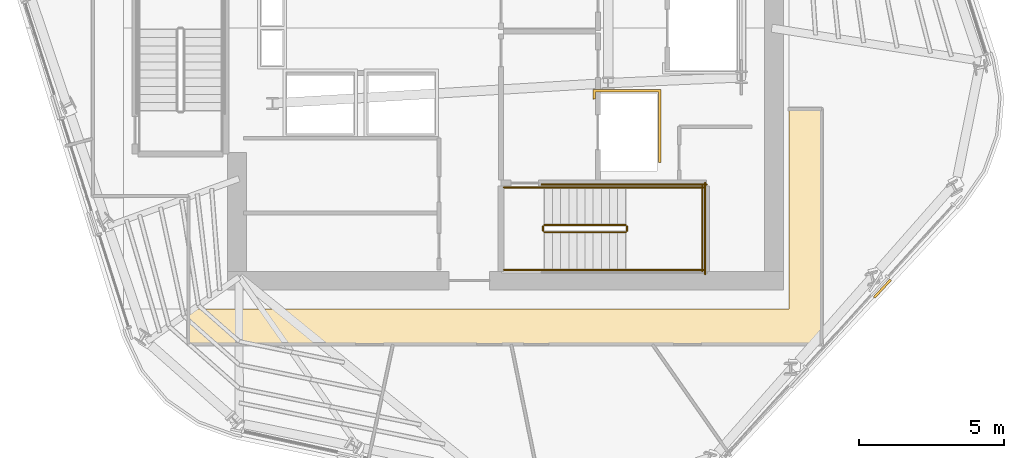
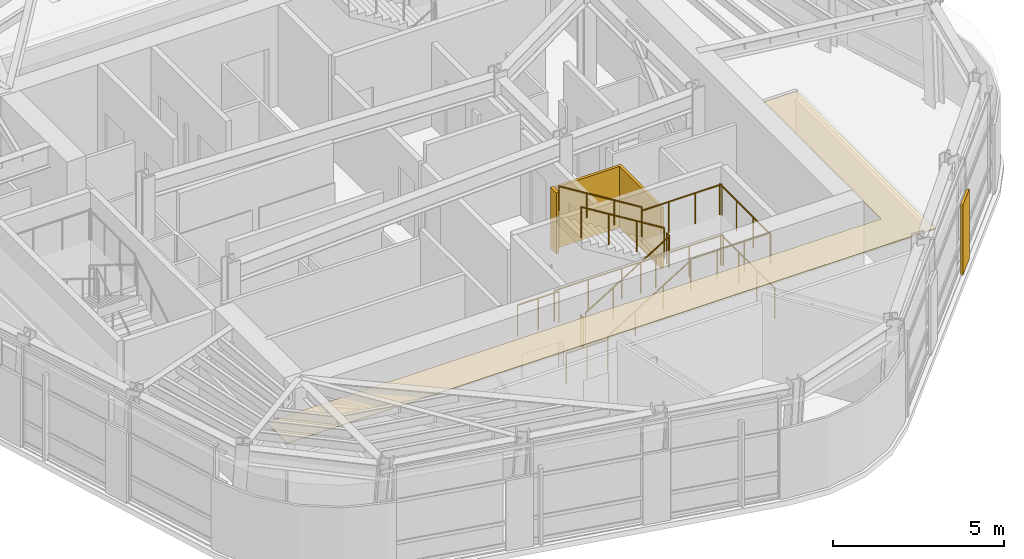
# One storey, part 10 of 13: 13 railings, 3 coverings.
"""IFC4 building model written with IfcOpenShell, lengths in metres."""

import ifcopenshell
import ifcopenshell.guid

model = None  # the IFC model being written
_history = None  # IfcOwnerHistory: only IFC2X3 demands one
_inside = {}  # id of a spatial element -> (the spatial element, [elements in it])
_under = {}  # id of a project, library or spatial element -> (it, [spatial elements below it])
_declared = {}  # id of a project -> (the project, [libraries it declares])
_typed = {}  # id of a type object -> (the type object, [elements of that type])
_made_of = {}  # id of a material, layer set ... -> (it, [elements and type objects made of it])


def new_model(schema):
    """Start an empty IFC model of exactly this schema.

    Asked for "IFC4X3", IfcOpenShell would pick the latest addendum, in which some entities
    have other attributes; the version numbers below select the first issue.
    IFC2X3 requires an IfcOwnerHistory on every rooted entity: one is made here for all.
    """
    global model, _history
    if schema == "IFC4X3":
        model = ifcopenshell.file(schema_version=(4, 3, 0, 0))
    else:
        model = ifcopenshell.file(schema=schema)
    _inside.clear()
    _under.clear()
    _declared.clear()
    _typed.clear()
    _made_of.clear()
    _history = None
    if model.schema == "IFC2X3":
        org = make("IfcOrganization", Name="unknown")
        user = make(
            "IfcPersonAndOrganization",
            ThePerson=make("IfcPerson", FamilyName="unknown"),
            TheOrganization=org,
        )
        app = make(
            "IfcApplication",
            ApplicationDeveloper=org,
            Version="unknown",
            ApplicationFullName="unknown",
            ApplicationIdentifier="unknown",
        )
        _history = make(
            "IfcOwnerHistory",
            OwningUser=user,
            OwningApplication=app,
            ChangeAction="ADDED",
            CreationDate=0,
        )
    return model


def make(cls, **values):
    """One entity of the class cls with the attributes given. An attribute that is None is left unset."""
    return model.create_entity(
        cls, **{name: value for name, value in values.items() if value is not None}
    )


def rooted(cls, **values):
    """An entity with a GlobalId (a new one), such as an element, a storey or a relation."""
    return make(cls, GlobalId=ifcopenshell.guid.new(), OwnerHistory=_history, **values)


def si_unit(unit_type, name, prefix=None):
    """IfcSIUnit, for example si_unit("LENGTHUNIT", "METRE", prefix="MILLI")."""
    return make("IfcSIUnit", UnitType=unit_type, Prefix=prefix, Name=name)


def assignment(units):
    """IfcUnitAssignment: the units of a project."""
    return None if units is None else make("IfcUnitAssignment", Units=units)


def point(xyz):
    """IfcCartesianPoint."""
    return None if xyz is None else make("IfcCartesianPoint", Coordinates=xyz)


def direction(xyz):
    """IfcDirection."""
    return None if xyz is None else make("IfcDirection", DirectionRatios=xyz)


def frame(location, z_axis=None, x_axis=None):
    """IfcAxis2Placement3D, a coordinate frame: its origin and axes. An axis left out is left unset."""
    return make(
        "IfcAxis2Placement3D",
        Location=point(location),
        Axis=direction(z_axis),
        RefDirection=direction(x_axis),
    )


def frame_2d(location, x_axis=None):
    """IfcAxis2Placement2D, a coordinate frame in the plane: its origin and x axis."""
    return make(
        "IfcAxis2Placement2D", Location=point(location), RefDirection=direction(x_axis)
    )


def origin():
    """The frame at (0, 0, 0) with its axes left unset."""
    return frame((0.0, 0.0, 0.0))


def origin_2d():
    """The frame at (0, 0) in the plane with its x axis left unset."""
    return frame_2d((0.0, 0.0))


def place(relative_to, where):
    """IfcLocalPlacement: puts the frame where relative to a parent placement (None: the world)."""
    return make(
        "IfcLocalPlacement", PlacementRelTo=relative_to, RelativePlacement=where
    )


def context(
    kind, dimensions, precision=None, world=None, true_north=None, identifier=None
):
    """IfcGeometricRepresentationContext, for example the 3D "Model" context."""
    return make(
        "IfcGeometricRepresentationContext",
        ContextIdentifier=identifier,
        ContextType=kind,
        CoordinateSpaceDimension=dimensions,
        Precision=precision,
        WorldCoordinateSystem=world,
        TrueNorth=true_north,
    )


def subcontext(parent, identifier, kind, view, scale=None):
    """IfcGeometricRepresentationSubContext, for example "Body" below "Model"."""
    return make(
        "IfcGeometricRepresentationSubContext",
        ContextIdentifier=identifier,
        ContextType=kind,
        ParentContext=parent,
        TargetScale=scale,
        TargetView=view,
    )


def project(units=None, contexts=None):
    """IfcProject with its units and contexts."""
    return rooted(
        "IfcProject",
        Name="project",
        RepresentationContexts=contexts,
        UnitsInContext=assignment(units),
    )


def spatial(cls, under=None, at=None, **own):
    """A site, building, storey or space (cls), placed at a placement, below another one or the project."""
    s = rooted(cls, ObjectPlacement=at, **own)
    if under is not None:
        _under.setdefault(under.id(), (under, []))[1].append(s)
    return s


def polyline(points):
    """IfcPolyline through the points."""
    return make("IfcPolyline", Points=[point(p) for p in points])


def profile(cls, at=None, kind="AREA", **sizes):
    """A parametric profile (cls). Its sizes go by their IFC names, for example OverallWidth=200.0."""
    return make(cls, ProfileType=kind, Position=at, **sizes)


def circle(**sizes):
    """IfcCircleProfileDef."""
    return profile("IfcCircleProfileDef", **sizes)


def outline(outer, holes=None, kind="AREA"):
    """IfcArbitraryClosedProfileDef: a profile drawn as a closed curve; with holes, ...WithVoids."""
    if holes is None:
        return make("IfcArbitraryClosedProfileDef", ProfileType=kind, OuterCurve=outer)
    return make(
        "IfcArbitraryProfileDefWithVoids",
        ProfileType=kind,
        OuterCurve=outer,
        InnerCurves=holes,
    )


def extrude(swept, where, along, depth):
    """IfcExtrudedAreaSolid: the profile swept, set in the frame where, extruded along a direction by depth."""
    return make(
        "IfcExtrudedAreaSolid",
        SweptArea=swept,
        Position=where,
        ExtrudedDirection=direction(along),
        Depth=depth,
    )


def shape(context_of_items, identifier, shape_type, items):
    """IfcShapeRepresentation: the items that make up one representation, for example the "Body"."""
    return make(
        "IfcShapeRepresentation",
        ContextOfItems=context_of_items,
        RepresentationIdentifier=identifier,
        RepresentationType=shape_type,
        Items=items,
    )


def material(Name=None, Category=None):
    """IfcMaterial."""
    return make("IfcMaterial", Name=Name, Category=Category)


def layer(
    of_material, thickness, ventilated=None, Name=None, Category=None, Priority=None
):
    """IfcMaterialLayer: one layer of a wall or slab, of a material (None: an air gap)."""
    return make(
        "IfcMaterialLayer",
        Material=of_material,
        LayerThickness=thickness,
        IsVentilated=ventilated,
        Name=Name,
        Category=Category,
        Priority=Priority,
    )


def layer_set(layers, Name=None):
    """IfcMaterialLayerSet."""
    return make("IfcMaterialLayerSet", MaterialLayers=layers, LayerSetName=Name)


def made_of(thing, what):
    """Note that an element or type object is made of a material, layer set ...; save() writes the relation."""
    if what is not None:
        _made_of.setdefault(what.id(), (what, []))[1].append(thing)
    return thing


def type_object(cls, material=None, **own):
    """A type object (cls), such as IfcWallType, which elements share."""
    return made_of(rooted(cls, **own), material)


def element(
    cls,
    number,
    at=None,
    inside=None,
    cuts=None,
    type_object=None,
    material=None,
    context=None,
    identifier="Body",
    shape_type=None,
    held_by="IfcProductDefinitionShape",
    body=None,
    shapes=None,
    **own,
):
    """One element of the class cls, such as IfcWall. Its Tag is "e" and its number.

    at: its placement. inside: the storey or other place that contains it. cuts: it is an
    opening in that element (IfcRelVoidsElement). A single representation is given by context,
    identifier, shape_type and body (its items); several are given by shapes. held_by: the class
    of the entity that holds the representations. save() writes the other relations.
    """
    e = rooted(cls, Tag="e%d" % number, ObjectPlacement=at, **own)
    if body is not None:
        shapes = [shape(context, identifier, shape_type, body)]
    if shapes is not None:
        e.Representation = make(held_by, Representations=shapes)
    if inside is not None:
        _inside.setdefault(inside.id(), (inside, []))[1].append(e)
    if cuts is not None:
        rooted(
            "IfcRelVoidsElement", RelatingBuildingElement=cuts, RelatedOpeningElement=e
        )
    if type_object is not None:
        _typed.setdefault(type_object.id(), (type_object, []))[1].append(e)
    return made_of(e, material)


def aggregate(whole, parts):
    """IfcRelAggregates: a whole, such as a stair, and the parts it consists of."""
    return rooted("IfcRelAggregates", RelatingObject=whole, RelatedObjects=parts)


def save(model, path):
    """Write the relations noted so far, then the file.

    IfcRelAggregates (storeys below a building ...), IfcRelContainedInSpatialStructure (elements
    in a storey), IfcRelDefinesByType, IfcRelAssociatesMaterial and IfcRelDeclares: one each for
    every whole, place, type object, material and project.
    """
    for whole, parts in _under.values():
        aggregate(whole, parts)
    for where, things in _inside.values():
        rooted(
            "IfcRelContainedInSpatialStructure",
            RelatedElements=things,
            RelatingStructure=where,
        )
    for kind, things in _typed.values():
        rooted("IfcRelDefinesByType", RelatedObjects=things, RelatingType=kind)
    for what, things in _made_of.values():
        rooted("IfcRelAssociatesMaterial", RelatedObjects=things, RelatingMaterial=what)
    for by, libraries in _declared.values():
        rooted("IfcRelDeclares", RelatingContext=by, RelatedDefinitions=libraries)
    model.write(path)


model = new_model("IFC4")

# Units and contexts
model_context = context("Model", 3, precision=1e-05, world=origin(), true_north=direction((0.0, 1.0)))
body_context = subcontext(model_context, "Body", "Model", "MODEL_VIEW")
ifc_project = project(units=[si_unit("LENGTHUNIT", "METRE"), si_unit("AREAUNIT", "SQUARE_METRE"), si_unit("VOLUMEUNIT", "CUBIC_METRE"), si_unit("PLANEANGLEUNIT", "RADIAN"), si_unit("MASSUNIT", "GRAM", prefix="KILO")], contexts=[model_context])

# Site, building, storey
site_placement = place(None, origin())
site = spatial("IfcSite", under=ifc_project, at=site_placement, CompositionType="ELEMENT")
building_placement = place(site_placement, origin())
building = spatial("IfcBuilding", under=site, at=building_placement, Name="Valkerne Bourse Tower", CompositionType="ELEMENT")
storey_placement = place(building_placement, frame((0.0, 0.0, 228.39990234375)))
storey = spatial("IfcBuildingStorey", under=building, at=storey_placement, Name="L58", CompositionType="ELEMENT", Elevation=228.39990234375)

# Coverings
ifc_material_1 = material(Name="Bronze Anodised Aluminium AA 6063-T6", Category="aluminium")
ifc_layer_1 = layer(ifc_material_1, 0.030029296875)
ifc_layer_set_1 = layer_set([ifc_layer_1], Name="Bronze Anodised Aluminium AA 6063-T6")
covering_type_1 = type_object("IfcCoveringType", Name="COV-CEIL-METAL", PredefinedType="CEILING", material=ifc_layer_set_1)
covering_1_placement = place(storey_placement, frame((0.0, 0.0, 3.25)))
element("IfcCovering", 1, at=covering_1_placement, inside=storey, type_object=covering_type_1, Name="L58 Suspended Ceiling 01", PredefinedType="CEILING", context=body_context, shape_type="SweptSolid", body=[
    extrude(outline(polyline([(35.85400390625, 17.300048828125), (56.60009765625, 17.300048828125), (56.60009765625, 24.196044921875), (57.716064453125, 24.196044921875), (57.716064453125, 16.083984375), (35.85400390625, 16.083984375), (35.85400390625, 17.300048828125)])), origin(), (0.0, 0.0, 1.0), 0.025146484375),
])
ifc_layer_2 = layer(ifc_material_1, 0.06005859375)
ifc_layer_set_2 = layer_set([ifc_layer_2], Name="Bronze Anodised Aluminium AA 6063-T6")
covering_type_2 = type_object("IfcCoveringType", Name="COV-CRN-ALUM", PredefinedType="CLADDING", material=ifc_layer_set_2)
covering_2_placement = place(storey_placement, origin())
element("IfcCovering", 2, at=covering_2_placement, inside=storey, type_object=covering_type_2, Name="L58 Wind-Shaped Corner Aluminium Cladding 02", PredefinedType="CLADDING", context=body_context, shape_type="SweptSolid", body=[
    extrude(outline(polyline([(59.56591796875, 17.663330078125), (59.5068359375, 17.717041015625), (60.0771484375, 18.333740234375), (60.136474609375, 18.27978515625), (59.56591796875, 17.663330078125)])), origin(), (0.0, 0.0, 1.0), 2.5),
])
ifc_material_2 = material(Name="Gypsum Shaftwall Liner Board", Category="gypsum")
ifc_layer_3 = layer(ifc_material_2, 0.080078125)
ifc_layer_set_3 = layer_set([ifc_layer_3], Name="Gypsum Shaftwall Liner Board")
covering_type_3 = type_object("IfcCoveringType", Name="COV-SHF-CLAD", PredefinedType="CLADDING", material=ifc_layer_set_3)
covering_3_placement = place(storey_placement, origin())
element("IfcCovering", 3, at=covering_3_placement, inside=storey, type_object=covering_type_3, Name="L58 Hoistway & Riser Shaftwall Liner 05", PredefinedType="CLADDING", context=body_context, shape_type="SweptSolid", body=[
    extrude(outline(polyline([(52.179931640625, 22.35009765625), (52.090087890625, 22.35009765625), (52.090087890625, 24.7900390625), (49.909912109375, 24.7900390625), (49.909912109375, 24.560791015625), (49.869384765625, 24.550537109375), (49.827880859375, 24.53564453125), (49.820068359375, 24.531982421875), (49.820068359375, 24.8798828125), (52.179931640625, 24.8798828125), (52.179931640625, 22.35009765625)])), origin(), (0.0, 0.0, 1.0), 2.18017578125),
])

# Railings
ifc_material_3 = material(Name="Galvanised Painted Steel", Category="steel")
railing_type_1 = type_object("IfcRailingType", Name="RLG-ST-GUARD-1120", PredefinedType="GUARDRAIL", material=ifc_material_3)
railing_1_placement = place(storey_placement, frame((48.14990234375, 19.949951171875, 0.1728515625)))
element("IfcRailing", 4, at=railing_1_placement, inside=storey, type_object=railing_type_1, Name="L58 ST-1 stair guard 1", PredefinedType="GUARDRAIL", context=body_context, shape_type="SweptSolid", body=[
    extrude(circle(Radius=0.02392578125, at=origin_2d()), frame((0.0, 0.0, 1.09619140625), z_axis=(0.851089632645, 0.0, 0.525020415988), x_axis=(0.0, 1.0, 0.0)), (0.0, 0.0, 1.0), 3.2900390625),
    extrude(circle(Radius=0.02099609375, at=origin_2d()), origin(), (0.0, 0.0, 1.0), 1.072021484375),
    extrude(circle(Radius=0.02099609375, at=origin_2d()), frame((0.933349609375, 0.0, 0.57568359375)), (0.0, 0.0, 1.0), 1.072021484375),
    extrude(circle(Radius=0.02099609375, at=origin_2d()), frame((1.86669921875, 0.0, 1.151611328125)), (0.0, 0.0, 1.0), 1.072021484375),
    extrude(circle(Radius=0.02099609375, at=origin_2d()), frame((2.800048828125, 0.0, 1.727294921875)), (0.0, 0.0, 1.0), 1.072021484375),
])
railing_2_placement = place(storey_placement, frame((51.0, 20.0, 1.900146484375)))
element("IfcRailing", 5, at=railing_2_placement, inside=storey, type_object=railing_type_1, Name="L58 ST-1 stair guard 2", PredefinedType="GUARDRAIL", context=body_context, shape_type="SweptSolid", body=[
    extrude(circle(Radius=0.02392578125, at=origin_2d()), frame((0.0, 0.0, 1.09619140625), z_axis=(0.0, 1.0, 0.0), x_axis=(-1.0, 0.0, 0.0)), (0.0, 0.0, 1.0), 0.14990234375),
    extrude(circle(Radius=0.02099609375, at=origin_2d()), origin(), (0.0, 0.0, 1.0), 1.072021484375),
    extrude(circle(Radius=0.02099609375, at=origin_2d()), frame((0.0, 0.14990234375, 0.0)), (0.0, 0.0, 1.0), 1.072021484375),
])
for number, where, name in (
    (6, (50.949951171875, 18.64990234375, 1.900146484375), "L58 ST-1 stair guard 3"),
    (7, (50.949951171875, 21.5, 1.900146484375), "L58 ST-1 stair guard 4"),
):
    element("IfcRailing", number, at=place(storey_placement, frame(where)), inside=storey, type_object=railing_type_1, Name=name, PredefinedType="GUARDRAIL", context=body_context, shape_type="SweptSolid", body=[
        extrude(circle(Radius=0.02392578125, at=origin_2d()), frame((0.0, 0.0, 1.09619140625), z_axis=(1.0, 0.0, 0.0), x_axis=(0.0, 1.0, 0.0)), (0.0, 0.0, 1.0), 2.699951171875),
        extrude(circle(Radius=0.02099609375, at=origin_2d()), origin(), (0.0, 0.0, 1.0), 1.072021484375),
        extrude(circle(Radius=0.02099609375, at=origin_2d()), frame((0.89990234375, 0.0, 0.0)), (0.0, 0.0, 1.0), 1.072021484375),
        extrude(circle(Radius=0.02099609375, at=origin_2d()), frame((1.800048828125, 0.0, 0.0)), (0.0, 0.0, 1.0), 1.072021484375),
        extrude(circle(Radius=0.02099609375, at=origin_2d()), frame((2.699951171875, 0.0, 0.0)), (0.0, 0.0, 1.0), 1.072021484375),
    ])
railing_3_placement = place(storey_placement, frame((53.60009765625, 18.60009765625, 1.900146484375)))
element("IfcRailing", 8, at=railing_3_placement, inside=storey, type_object=railing_type_1, Name="L58 ST-1 stair guard 5", PredefinedType="GUARDRAIL", context=body_context, shape_type="SweptSolid", body=[
    extrude(circle(Radius=0.02392578125, at=origin_2d()), frame((0.0, 0.0, 1.09619140625), z_axis=(0.0, 1.0, 0.0), x_axis=(-1.0, 0.0, 0.0)), (0.0, 0.0, 1.0), 2.949951171875),
    extrude(circle(Radius=0.02099609375, at=origin_2d()), origin(), (0.0, 0.0, 1.0), 1.072021484375),
    extrude(circle(Radius=0.02099609375, at=origin_2d()), frame((0.0, 0.9833984375, 0.0)), (0.0, 0.0, 1.0), 1.072021484375),
    extrude(circle(Radius=0.02099609375, at=origin_2d()), frame((0.0, 1.966552734375, 0.0)), (0.0, 0.0, 1.0), 1.072021484375),
    extrude(circle(Radius=0.02099609375, at=origin_2d()), frame((0.0, 2.949951171875, 0.0)), (0.0, 0.0, 1.0), 1.072021484375),
])
railing_4_placement = place(storey_placement, frame((50.949951171875, 20.199951171875, 2.07275390625)))
element("IfcRailing", 9, at=railing_4_placement, inside=storey, type_object=railing_type_1, Name="L58 ST-1 stair guard 6", PredefinedType="GUARDRAIL", context=body_context, shape_type="SweptSolid", body=[
    extrude(circle(Radius=0.02392578125, at=origin_2d()), frame((0.0, 0.0, 1.09619140625), z_axis=(-0.851089632645, 0.0, 0.525020415988), x_axis=(0.0, -1.0, 0.0)), (0.0, 0.0, 1.0), 3.2900390625),
    extrude(circle(Radius=0.02099609375, at=origin_2d()), origin(), (0.0, 0.0, 1.0), 1.072021484375),
    extrude(circle(Radius=0.02099609375, at=origin_2d()), frame((-0.933349609375, 0.0, 0.57568359375)), (0.0, 0.0, 1.0), 1.072021484375),
    extrude(circle(Radius=0.02099609375, at=origin_2d()), frame((-1.86669921875, 0.0, 1.151611328125)), (0.0, 0.0, 1.0), 1.072021484375),
    extrude(circle(Radius=0.02099609375, at=origin_2d()), frame((-2.800048828125, 0.0, 1.727294921875)), (0.0, 0.0, 1.0), 1.072021484375),
])
railing_5_placement = place(storey_placement, frame((48.10009765625, 20.0, 0.0)))
element("IfcRailing", 10, at=railing_5_placement, inside=storey, type_object=railing_type_1, Name="L58 ST-1 stair guard 7", PredefinedType="GUARDRAIL", context=body_context, shape_type="SweptSolid", body=[
    extrude(circle(Radius=0.02392578125, at=origin_2d()), frame((0.0, 0.0, 1.09619140625), z_axis=(0.0, 1.0, 0.0), x_axis=(-1.0, 0.0, 0.0)), (0.0, 0.0, 1.0), 0.14990234375),
    extrude(circle(Radius=0.02099609375, at=origin_2d()), origin(), (0.0, 0.0, 1.0), 1.072021484375),
    extrude(circle(Radius=0.02099609375, at=origin_2d()), frame((0.0, 0.14990234375, 0.0)), (0.0, 0.0, 1.0), 1.072021484375),
])
for number, where, name in (
    (11, (46.75, 18.64990234375, 0.0), "L58 ST-1 stair guard 8"),
    (12, (46.75, 21.5, 0.0), "L58 ST-1 stair guard 9"),
):
    element("IfcRailing", number, at=place(storey_placement, frame(where)), inside=storey, type_object=railing_type_1, Name=name, PredefinedType="GUARDRAIL", context=body_context, shape_type="SweptSolid", body=[
        extrude(circle(Radius=0.02392578125, at=origin_2d()), frame((0.0, 0.0, 1.09619140625), z_axis=(1.0, 0.0, 0.0), x_axis=(0.0, 1.0, 0.0)), (0.0, 0.0, 1.0), 1.39990234375),
        extrude(circle(Radius=0.02099609375, at=origin_2d()), origin(), (0.0, 0.0, 1.0), 1.072021484375),
        extrude(circle(Radius=0.02099609375, at=origin_2d()), frame((0.699951171875, 0.0, 0.0)), (0.0, 0.0, 1.0), 1.072021484375),
        extrude(circle(Radius=0.02099609375, at=origin_2d()), frame((1.39990234375, 0.0, 0.0)), (0.0, 0.0, 1.0), 1.072021484375),
    ])
railing_6_placement = place(storey_placement, frame((48.050048828125, 21.60009765625, 0.0)))
element("IfcRailing", 13, at=railing_6_placement, inside=storey, type_object=railing_type_1, Name="L58 ST-1 stair guard 11", PredefinedType="GUARDRAIL", context=body_context, shape_type="SweptSolid", body=[
    extrude(circle(Radius=0.02392578125, at=origin_2d()), frame((0.0, 0.0, 1.09619140625), z_axis=(1.0, 0.0, 0.0), x_axis=(0.0, 1.0, 0.0)), (0.0, 0.0, 1.0), 5.699951171875),
    extrude(circle(Radius=0.02099609375, at=origin_2d()), origin(), (0.0, 0.0, 1.0), 1.072021484375),
    extrude(circle(Radius=0.02099609375, at=origin_2d()), frame((1.139892578125, 0.0, 0.0)), (0.0, 0.0, 1.0), 1.072021484375),
    extrude(circle(Radius=0.02099609375, at=origin_2d()), frame((2.280029296875, 0.0, 0.0)), (0.0, 0.0, 1.0), 1.072021484375),
    extrude(circle(Radius=0.02099609375, at=origin_2d()), frame((3.419921875, 0.0, 0.0)), (0.0, 0.0, 1.0), 1.072021484375),
    extrude(circle(Radius=0.02099609375, at=origin_2d()), frame((4.56005859375, 0.0, 0.0)), (0.0, 0.0, 1.0), 1.072021484375),
    extrude(circle(Radius=0.02099609375, at=origin_2d()), frame((5.699951171875, 0.0, 0.0)), (0.0, 0.0, 1.0), 1.072021484375),
])
railing_7_placement = place(storey_placement, frame((53.699951171875, 18.5, 0.0)))
element("IfcRailing", 14, at=railing_7_placement, inside=storey, type_object=railing_type_1, Name="L58 ST-1 stair guard 12", PredefinedType="GUARDRAIL", context=body_context, shape_type="SweptSolid", body=[
    extrude(circle(Radius=0.02392578125, at=origin_2d()), frame((0.0, 0.0, 1.09619140625), z_axis=(0.0, 1.0, 0.0), x_axis=(-1.0, 0.0, 0.0)), (0.0, 0.0, 1.0), 3.14990234375),
    extrude(circle(Radius=0.02099609375, at=origin_2d()), origin(), (0.0, 0.0, 1.0), 1.072021484375),
    extrude(circle(Radius=0.02099609375, at=origin_2d()), frame((0.0, 1.050048828125, 0.0)), (0.0, 0.0, 1.0), 1.072021484375),
    extrude(circle(Radius=0.02099609375, at=origin_2d()), frame((0.0, 2.099853515625, 0.0)), (0.0, 0.0, 1.0), 1.072021484375),
    extrude(circle(Radius=0.02099609375, at=origin_2d()), frame((0.0, 3.14990234375, 0.0)), (0.0, 0.0, 1.0), 1.072021484375),
])
ifc_material_4 = material(Name="Stainless Steel AISI 316", Category="steel")
railing_type_2 = type_object("IfcRailingType", Name="RLG-ST-HANDRAIL-900", PredefinedType="HANDRAIL", material=ifc_material_4)
railing_8_placement = place(storey_placement, frame((48.14990234375, 18.64990234375, 0.345458984375)))
element("IfcRailing", 15, at=railing_8_placement, inside=storey, type_object=railing_type_2, Name="L58 ST-1 stair handrail 1", PredefinedType="HANDRAIL", context=body_context, shape_type="SweptSolid", body=[
    extrude(circle(Radius=0.02392578125, at=origin_2d()), frame((0.0, 0.0, 0.8759765625), z_axis=(0.851089632645, 0.0, 0.525020415988), x_axis=(0.0, 1.0, 0.0)), (0.0, 0.0, 1.0), 3.2900390625),
    extrude(circle(Radius=0.02099609375, at=origin_2d()), origin(), (0.0, 0.0, 1.0), 0.851806640625),
    extrude(circle(Radius=0.02099609375, at=origin_2d()), frame((0.933349609375, 0.0, 0.57568359375)), (0.0, 0.0, 1.0), 0.851806640625),
    extrude(circle(Radius=0.02099609375, at=origin_2d()), frame((1.86669921875, 0.0, 1.151611328125)), (0.0, 0.0, 1.0), 0.851806640625),
    extrude(circle(Radius=0.02099609375, at=origin_2d()), frame((2.800048828125, 0.0, 1.727294921875)), (0.0, 0.0, 1.0), 0.851806640625),
])
railing_9_placement = place(storey_placement, frame((50.949951171875, 21.5, 2.24560546875)))
element("IfcRailing", 16, at=railing_9_placement, inside=storey, type_object=railing_type_2, Name="L58 ST-1 stair handrail 2", PredefinedType="HANDRAIL", context=body_context, shape_type="SweptSolid", body=[
    extrude(circle(Radius=0.02392578125, at=origin_2d()), frame((0.0, 0.0, 0.8759765625), z_axis=(-0.851089632645, 0.0, 0.525020415988), x_axis=(0.0, -1.0, 0.0)), (0.0, 0.0, 1.0), 3.2900390625),
    extrude(circle(Radius=0.02099609375, at=origin_2d()), origin(), (0.0, 0.0, 1.0), 0.851806640625),
    extrude(circle(Radius=0.02099609375, at=origin_2d()), frame((-0.933349609375, 0.0, 0.57568359375)), (0.0, 0.0, 1.0), 0.851806640625),
    extrude(circle(Radius=0.02099609375, at=origin_2d()), frame((-1.86669921875, 0.0, 1.151611328125)), (0.0, 0.0, 1.0), 0.851806640625),
    extrude(circle(Radius=0.02099609375, at=origin_2d()), frame((-2.800048828125, 0.0, 1.727294921875)), (0.0, 0.0, 1.0), 0.851806640625),
])

save(model, "model.ifc")
